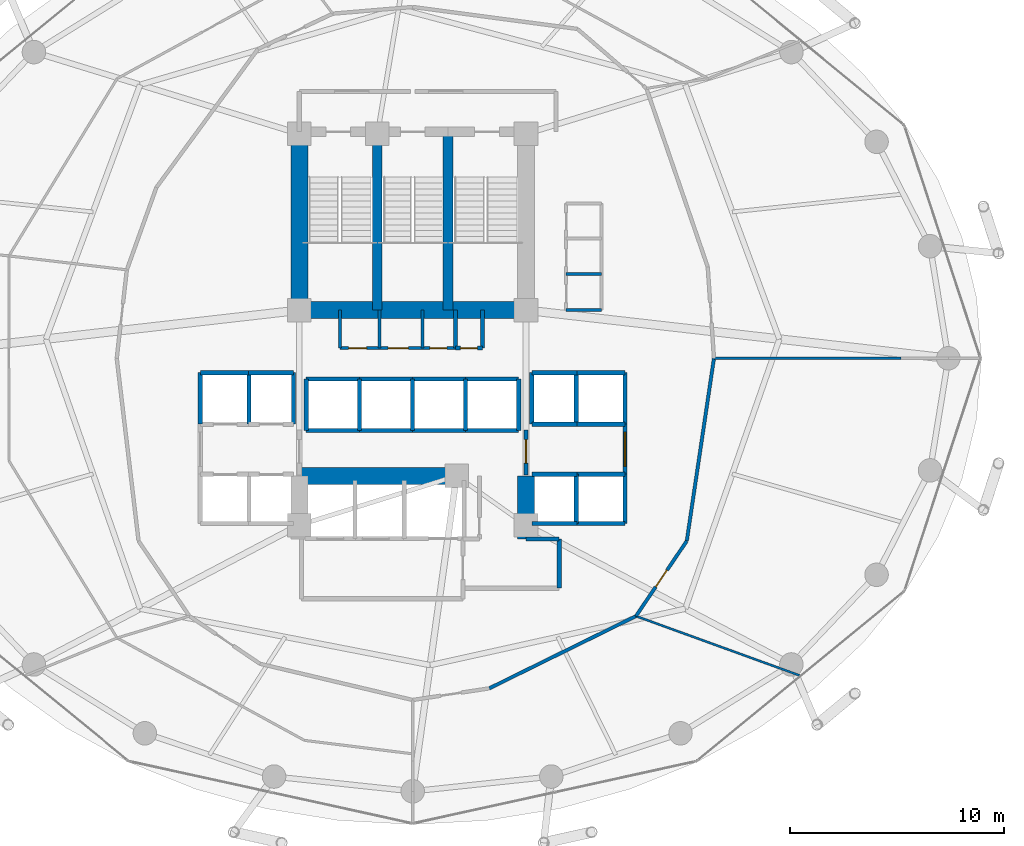
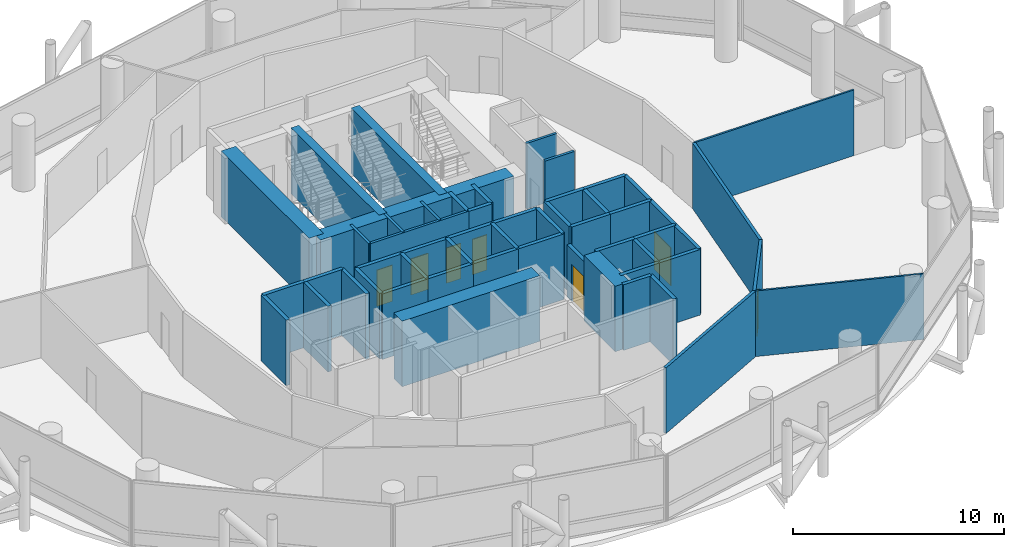
# One storey, part 22 of 25: 55 walls, 7 doors, 7 openings.
"""IFC4 building model written with IfcOpenShell, lengths in metres."""

from ifc_helpers import new_model, si_unit, direction, frame, frame_2d, origin, place, context, subcontext, project, spatial, rectangle, extrude, material, layer, layer_set, type_object, element, fill, save


model = new_model("IFC4")

# Units and contexts
model_context = context("Model", 3, precision=1e-05, world=origin(), true_north=direction((0.0, 1.0)))
body_context = subcontext(model_context, "Body", "Model", "MODEL_VIEW")
ifc_project = project(units=[si_unit("LENGTHUNIT", "METRE"), si_unit("AREAUNIT", "SQUARE_METRE"), si_unit("VOLUMEUNIT", "CUBIC_METRE"), si_unit("PLANEANGLEUNIT", "RADIAN"), si_unit("MASSUNIT", "GRAM", prefix="KILO")], contexts=[model_context])

# Site, building, storey
site_placement = place(None, origin())
site = spatial("IfcSite", under=ifc_project, at=site_placement, CompositionType="ELEMENT")
building_placement = place(site_placement, origin())
building = spatial("IfcBuilding", under=site, at=building_placement, Name="Nuhasar Tower", CompositionType="ELEMENT")
storey_placement = place(building_placement, frame((0.0, 0.0, 57.449951171875)))
storey = spatial("IfcBuildingStorey", under=building, at=storey_placement, Name="L13", CompositionType="ELEMENT", Elevation=57.449951171875)

# Walls
ifc_material_1 = material(Name="Concrete C50/60", Category="concrete")
ifc_layer_1 = layer(ifc_material_1, 0.449951171875)
ifc_layer_set_1 = layer_set([ifc_layer_1], Name="Concrete C50/60")
wall_type_1 = type_object("IfcWallType", Name="WL-CORE-450", PredefinedType="SHEAR", material=ifc_layer_set_1)
for number, where, z_axis, x_axis, name in (
    (1, (37.35009765625, 29.050048828125, 0.0), (0.0, 0.0, 1.0), (0.0, 1.0, 0.0), "L13 Stairwell Shear Wall ST01-E"),
    (2, (40.64990234375, 29.050048828125, 0.0), (0.0, 0.0, 1.0), (0.0, 1.0, 0.0), "L13 Stairwell Shear Wall ST03-E"),
):
    element("IfcWall", number, at=place(storey_placement, frame(where, z_axis=z_axis, x_axis=x_axis)), inside=storey, type_object=wall_type_1, Name=name, PredefinedType="SHEAR", context=body_context, shape_type="SweptSolid", body=[
        extrude(rectangle(XDim=8.349853515625, YDim=0.449951171875, at=frame_2d((4.1748046875, 0.0))), origin(), (0.0, 0.0, 1.0), 3.800048828125),
    ])
ifc_material_2 = material(Name="Concrete C80/95", Category="concrete")
ifc_layer_2 = layer(ifc_material_2, 0.800048828125)
ifc_layer_set_2 = layer_set([ifc_layer_2], Name="Concrete C80/95")
wall_type_2 = type_object("IfcWallType", Name="WL-CORE-800", PredefinedType="SHEAR", material=ifc_layer_set_2)
wall_1_placement = place(storey_placement, frame((33.699951171875, 29.050048828125, 0.0), z_axis=(0.0, 0.0, 1.0), x_axis=(0.0, 1.0, 0.0)))
element("IfcWall", 3, at=wall_1_placement, inside=storey, type_object=wall_type_2, Name="L13 Core Shear Wall CW-NW CW-800", PredefinedType="SHEAR", context=body_context, shape_type="SweptSolid", body=[
    extrude(rectangle(XDim=8.349853515625, YDim=0.800048828125, at=frame_2d((4.1748046875, 0.0))), origin(), (0.0, 0.0, 1.0), 3.800048828125),
])
wall_2_placement = place(storey_placement, frame((44.300048828125, 18.35009765625, 0.0), z_axis=(0.0, 0.0, 1.0), x_axis=(0.0, 1.0, 0.0)))
element("IfcWall", 4, at=wall_2_placement, inside=storey, type_object=wall_type_2, Name="L13 Core Shear Wall CW-SE CW-800", PredefinedType="SHEAR", context=body_context, shape_type="SweptSolid", body=[
    extrude(rectangle(XDim=2.949951171875, YDim=0.800048828125, at=frame_2d((1.47509765625, 0.0))), origin(), (0.0, 0.0, 1.0), 3.800048828125),
])
wall_3_placement = place(storey_placement, frame((33.699951171875, 29.050048828125, 0.0), z_axis=(0.0, 0.0, 1.0), x_axis=(1.0, 0.0, 0.0)))
element("IfcWall", 5, at=wall_3_placement, inside=storey, type_object=wall_type_2, Name="L13 Core Shear Wall CW-N1 CW-800", PredefinedType="SHEAR", context=body_context, shape_type="SweptSolid", body=[
    extrude(rectangle(XDim=10.60009765625, YDim=0.800048828125, at=frame_2d((5.300048828125, 0.0))), origin(), (0.0, 0.0, 1.0), 3.800048828125),
])
wall_4_placement = place(storey_placement, frame((33.699951171875, 21.300048828125, 0.0), z_axis=(0.0, 0.0, 1.0), x_axis=(1.0, 0.0, 0.0)))
element("IfcWall", 6, at=wall_4_placement, inside=storey, type_object=wall_type_2, Name="L13 Core Shear Wall CW-S1 CW-800", PredefinedType="SHEAR", context=body_context, shape_type="SweptSolid", body=[
    extrude(rectangle(XDim=7.550048828125, YDim=0.800048828125, at=frame_2d((3.77490234375, 0.0))), origin(), (0.0, 0.0, 1.0), 3.800048828125),
])
ifc_material_3 = material(Name="Gypsum Board", Category="gypsum")
ifc_layer_3 = layer(ifc_material_3, 0.159912109375)
ifc_layer_set_3 = layer_set([ifc_layer_3], Name="Gypsum Board")
wall_type_3 = type_object("IfcWallType", Name="WL-CORR-160", PredefinedType="PARTITIONING", material=ifc_layer_set_3)
wall_5_placement = place(storey_placement, frame((42.58203125, 11.364990234375, 0.0), z_axis=(0.0, 0.0, 1.0), x_axis=(0.897055406153, 0.441918090025, 0.0)))
element("IfcWall", 7, at=wall_5_placement, inside=storey, type_object=wall_type_3, Name="L13 Interior Partition CORR-38", PredefinedType="PARTITIONING", context=body_context, shape_type="SweptSolid", body=[
    extrude(rectangle(XDim=7.64599609375, YDim=0.159912109375, at=frame_2d((3.822998046875, 0.0))), origin(), (0.0, 0.0, 1.0), 3.800048828125),
])

# Wall, opening, door
wall_6_placement = place(storey_placement, frame((51.818115234375, 18.2548828125, 0.0), z_axis=(0.0, 0.0, 1.0), x_axis=(-0.560652063277, -0.828051486288, 0.0)))
wall_6 = element("IfcWall", 8, at=wall_6_placement, inside=storey, type_object=wall_type_3, Name="L13 Interior Partition CORR-42", PredefinedType="PARTITIONING", context=body_context, shape_type="SweptSolid", body=[
    extrude(rectangle(XDim=4.239990234375, YDim=0.159912109375, at=frame_2d((2.1201171875, 0.0))), origin(), (0.0, 0.0, 1.0), 3.800048828125),
])
opening_1_placement = place(wall_6_placement, frame((1.64501953125, 0.0, 0.0)))
opening_1 = element("IfcOpeningElement", 9, at=opening_1_placement, cuts=wall_6, Name="Opening DO-01", PredefinedType="OPENING", context=body_context, shape_type="SweptSolid", body=[
    extrude(rectangle(XDim=0.949951171875, YDim=2.14990234375, at=frame_2d((0.47509765625, 1.074951171875))), frame((0.0, 0.08984375, 0.0), z_axis=(0.0, -1.0, 0.0), x_axis=(1.0, 0.0, 0.0)), (0.0, 0.0, 1.0), 0.179931640625),
])
ifc_material_4 = material(Name="Timber Oak", Category="wood")
door_type_1 = type_object("IfcDoorType", Name="DR-OFFICE-FD30-950", OperationType="NOTDEFINED", PredefinedType="DOOR", material=ifc_material_4)
door_1_placement = place(opening_1_placement, origin())
door_1 = element("IfcDoor", 10, at=door_1_placement, inside=storey, type_object=door_type_1, Name="L13 Analytics Co-Working Hall Entry Door", OperationType="SINGLE_SWING_RIGHT", OverallHeight=2.14990234375, OverallWidth=0.949951171875, PredefinedType="DOOR", context=body_context, shape_type="SweptSolid", body=[
    extrude(rectangle(XDim=0.949951171875, YDim=2.14990234375, at=frame_2d((0.47509765625, 1.074951171875))), frame((0.0, 0.02490234375, 0.0), z_axis=(0.0, -1.0, 0.0), x_axis=(1.0, 0.0, 0.0)), (0.0, 0.0, 1.0), 0.050048828125),
])
fill(opening_1, door_1)

# Wall
wall_7_placement = place(storey_placement, frame((51.818115234375, 18.2548828125, 0.0), z_axis=(0.0, 0.0, 1.0), x_axis=(0.147230717418, 0.989102176647, 0.0)))
element("IfcWall", 11, at=wall_7_placement, inside=storey, type_object=wall_type_3, Name="L13 Interior Partition CORR-44", PredefinedType="PARTITIONING", context=body_context, shape_type="SweptSolid", body=[
    extrude(rectangle(XDim=8.639404296875, YDim=0.159912109375, at=frame_2d((4.31982421875, 0.0))), origin(), (0.0, 0.0, 1.0), 3.800048828125),
])

# Wall, opening, door
ifc_material_5 = material(Name="Concrete C45/55", Category="concrete")
ifc_layer_4 = layer(ifc_material_5, 0.199951171875)
ifc_layer_set_4 = layer_set([ifc_layer_4], Name="Concrete C45/55")
wall_type_4 = type_object("IfcWallType", Name="WL-LOBBY-200", PredefinedType="SOLIDWALL", material=ifc_layer_set_4)
wall_8_placement = place(storey_placement, frame((48.929931640625, 21.3798828125, 0.0), z_axis=(0.0, 0.0, 1.0), x_axis=(0.0, 1.0, 0.0)))
wall_8 = element("IfcWall", 12, at=wall_8_placement, inside=storey, type_object=wall_type_4, Name="L13 Interior Partition LLBM-E", PredefinedType="SOLIDWALL", context=body_context, shape_type="SweptSolid", body=[
    extrude(rectangle(XDim=2.340087890625, YDim=0.199951171875, at=frame_2d((1.169921875, 0.0))), origin(), (0.0, 0.0, 1.0), 3.800048828125),
])
opening_2_placement = place(wall_8_placement, frame((0.3701171875, 0.0, 0.0)))
opening_2 = element("IfcOpeningElement", 13, at=opening_2_placement, cuts=wall_8, Name="Opening DC-01", PredefinedType="OPENING", context=body_context, shape_type="SweptSolid", body=[
    extrude(rectangle(XDim=1.60009765625, YDim=2.199951171875, at=frame_2d((0.800048828125, 1.10009765625))), frame((0.0, 0.10986328125, 0.0), z_axis=(0.0, -1.0, 0.0), x_axis=(1.0, 0.0, 0.0)), (0.0, 0.0, 1.0), 0.219970703125),
])
ifc_material_6 = material(Name="Steel S355", Category="steel")
door_type_2 = type_object("IfcDoorType", Name="DR-CORR-FD60-1600", OperationType="DOUBLE_DOOR_SINGLE_SWING", PredefinedType="DOOR", material=ifc_material_6)
door_2_placement = place(opening_2_placement, origin())
door_2 = element("IfcDoor", 14, at=door_2_placement, inside=storey, type_object=door_type_2, Name="L13 Mid-Rise Lift Lobby East Entry", OperationType="DOUBLE_DOOR_SINGLE_SWING", OverallHeight=2.199951171875, OverallWidth=1.60009765625, PredefinedType="DOOR", context=body_context, shape_type="SweptSolid", body=[
    extrude(rectangle(XDim=1.60009765625, YDim=2.199951171875, at=frame_2d((0.800048828125, 1.10009765625))), frame((0.0, 0.02490234375, 0.0), z_axis=(0.0, -1.0, 0.0), x_axis=(1.0, 0.0, 0.0)), (0.0, 0.0, 1.0), 0.050048828125),
])
fill(opening_2, door_2)

wall_9_placement = place(storey_placement, frame((44.300048828125, 21.35009765625, 0.0), z_axis=(0.0, 0.0, 1.0), x_axis=(0.0, 1.0, 0.0)))
wall_9 = element("IfcWall", 15, at=wall_9_placement, inside=storey, type_object=wall_type_4, Name="L13 Interior Partition LLBH-E", PredefinedType="SOLIDWALL", context=body_context, shape_type="SweptSolid", body=[
    extrude(rectangle(XDim=2.099853515625, YDim=0.199951171875, at=frame_2d((1.0498046875, 0.0))), origin(), (0.0, 0.0, 1.0), 3.02001953125),
])
opening_3_placement = place(wall_9_placement, frame((0.550048828125, 0.0, 0.0)))
opening_3 = element("IfcOpeningElement", 16, at=opening_3_placement, cuts=wall_9, Name="Opening DS-02", PredefinedType="OPENING", context=body_context, shape_type="SweptSolid", body=[
    extrude(rectangle(XDim=1.10009765625, YDim=2.14990234375, at=frame_2d((0.550048828125, 1.074951171875))), frame((0.0, 0.10986328125, 0.0), z_axis=(0.0, -1.0, 0.0), x_axis=(1.0, 0.0, 0.0)), (0.0, 0.0, 1.0), 0.219970703125),
])
door_type_3 = type_object("IfcDoorType", Name="DR-FFL-FD120-1100", OperationType="NOTDEFINED", PredefinedType="DOOR", material=ifc_material_6)
door_3_placement = place(opening_3_placement, origin())
door_3 = element("IfcDoor", 17, at=door_3_placement, inside=storey, type_object=door_type_3, Name="L13 High-Rise Lobby East Door", OperationType="SINGLE_SWING_RIGHT", OverallHeight=2.14990234375, OverallWidth=1.10009765625, PredefinedType="DOOR", context=body_context, shape_type="SweptSolid", body=[
    extrude(rectangle(XDim=1.10009765625, YDim=2.14990234375, at=frame_2d((0.550048828125, 1.074951171875))), frame((0.0, 0.02490234375, 0.0), z_axis=(0.0, -1.0, 0.0), x_axis=(1.0, 0.0, 0.0)), (0.0, 0.0, 1.0), 0.050048828125),
])
fill(opening_3, door_3)

# Walls
wall_10_placement = place(storey_placement, frame((45.85009765625, 16.050048828125, 0.0), z_axis=(0.0, 0.0, 1.0), x_axis=(0.0, 1.0, 0.0)))
element("IfcWall", 18, at=wall_10_placement, inside=storey, type_object=wall_type_4, Name="L13 Interior Partition SVLV-E", PredefinedType="SOLIDWALL", context=body_context, shape_type="SweptSolid", body=[
    extrude(rectangle(XDim=2.300048828125, YDim=0.199951171875, at=frame_2d((1.14990234375, 0.0))), origin(), (0.0, 0.0, 1.0), 3.800048828125),
])
wall_11_placement = place(storey_placement, frame((44.300048828125, 18.35009765625, 0.0), z_axis=(0.0, 0.0, 1.0), x_axis=(1.0, 0.0, 0.0)))
element("IfcWall", 19, at=wall_11_placement, inside=storey, type_object=wall_type_4, Name="L13 Interior Partition SVLV-N", PredefinedType="SOLIDWALL", context=body_context, shape_type="SweptSolid", body=[
    extrude(rectangle(XDim=1.550048828125, YDim=0.199951171875, at=frame_2d((0.77490234375, 0.0))), origin(), (0.0, 0.0, 1.0), 3.800048828125),
])
ifc_material_7 = material(Name="Aluminium 6063-T6", Category="aluminium")
ifc_layer_5 = layer(ifc_material_7, 0.10009765625)
ifc_layer_set_5 = layer_set([ifc_layer_5], Name="Aluminium 6063-T6")
wall_type_5 = type_object("IfcWallType", Name="WL-MOVABLE-100", PredefinedType="MOVABLE", material=ifc_layer_set_5)
wall_12_placement = place(storey_placement, frame((53.090087890625, 26.800048828125, 0.0), z_axis=(0.0, 0.0, 1.0), x_axis=(1.0, 0.0, 0.0)))
element("IfcWall", 20, at=wall_12_placement, inside=storey, type_object=wall_type_5, Name="L13 Interior Partition ORAD-00", PredefinedType="MOVABLE", context=body_context, shape_type="SweptSolid", body=[
    extrude(rectangle(XDim=8.75, YDim=0.10009765625, at=frame_2d((4.375, 0.0))), origin(), (0.0, 0.0, 1.0), 3.800048828125),
])
wall_13_placement = place(storey_placement, frame((49.44091796875, 14.743896484375, 0.0), z_axis=(0.0, 0.0, 1.0), x_axis=(0.940120376518, -0.340842599533, 0.0)))
element("IfcWall", 21, at=wall_13_placement, inside=storey, type_object=wall_type_5, Name="L13 Interior Partition ORAD-42", PredefinedType="MOVABLE", context=body_context, shape_type="SweptSolid", body=[
    extrude(rectangle(XDim=8.1650390625, YDim=0.10009765625, at=frame_2d((4.08251953125, 0.0))), origin(), (0.0, 0.0, 1.0), 3.800048828125),
])
ifc_layer_6 = layer(ifc_material_5, 0.199951171875)
ifc_layer_set_6 = layer_set([ifc_layer_6], Name="Concrete C45/55")
wall_type_6 = type_object("IfcWallType", Name="WL-SHAFT-200", PredefinedType="SOLIDWALL", material=ifc_layer_set_6)
for number, where, z_axis, x_axis, name in (
    (22, (41.0, 27.280029296875, 0.0), (0.0, 0.0, 1.0), (0.0, 1.0, 0.0), "L13 Interior Partition RSRN-W"),
    (23, (42.260009765625, 27.280029296875, 0.0), (0.0, 0.0, 1.0), (0.0, 1.0, 0.0), "L13 Interior Partition RSRN-E"),
):
    element("IfcWall", number, at=place(storey_placement, frame(where, z_axis=z_axis, x_axis=x_axis)), inside=storey, type_object=wall_type_6, Name=name, PredefinedType="SOLIDWALL", context=body_context, shape_type="SweptSolid", body=[
        extrude(rectangle(XDim=1.77001953125, YDim=0.199951171875, at=frame_2d((0.885009765625, 0.0))), origin(), (0.0, 0.0, 1.0), 3.800048828125),
    ])

# Wall, opening, door
wall_14_placement = place(storey_placement, frame((41.0, 27.280029296875, 0.0), z_axis=(0.0, 0.0, 1.0), x_axis=(1.0, 0.0, 0.0)))
wall_14 = element("IfcWall", 24, at=wall_14_placement, inside=storey, type_object=wall_type_6, Name="L13 Interior Partition RSRN-S", PredefinedType="SOLIDWALL", context=body_context, shape_type="SweptSolid", body=[
    extrude(rectangle(XDim=1.260009765625, YDim=0.199951171875, at=frame_2d((0.6298828125, 0.0))), origin(), (0.0, 0.0, 1.0), 3.800048828125),
])
opening_4_placement = place(wall_14_placement, frame((0.22998046875, 0.0, 0.0)))
opening_4 = element("IfcOpeningElement", 25, at=opening_4_placement, cuts=wall_14, Name="Opening DM-01", PredefinedType="OPENING", context=body_context, shape_type="SweptSolid", body=[
    extrude(rectangle(XDim=0.800048828125, YDim=2.050048828125, at=frame_2d((0.39990234375, 1.02490234375))), frame((0.0, 0.10986328125, 0.0), z_axis=(0.0, -1.0, 0.0), x_axis=(1.0, 0.0, 0.0)), (0.0, 0.0, 1.0), 0.219970703125),
])
door_type_4 = type_object("IfcDoorType", Name="DR-RISER-FD60-800", OperationType="NOTDEFINED", PredefinedType="DOOR", material=ifc_material_6)
door_4_placement = place(opening_4_placement, origin())
door_4 = element("IfcDoor", 26, at=door_4_placement, inside=storey, type_object=door_type_4, Name="L13 North Smoke Riser Door", OperationType="SINGLE_SWING_RIGHT", OverallHeight=2.050048828125, OverallWidth=0.800048828125, PredefinedType="DOOR", context=body_context, shape_type="SweptSolid", body=[
    extrude(rectangle(XDim=0.800048828125, YDim=2.050048828125, at=frame_2d((0.39990234375, 1.02490234375))), frame((0.0, 0.02490234375, 0.0), z_axis=(0.0, -1.0, 0.0), x_axis=(1.0, 0.0, 0.0)), (0.0, 0.0, 1.0), 0.050048828125),
])
fill(opening_4, door_4)

# Walls
wall_15_placement = place(storey_placement, frame((29.070068359375, 26.1298828125, 0.0), z_axis=(0.0, 0.0, 1.0), x_axis=(1.0, 0.0, 0.0)))
element("IfcWall", 27, at=wall_15_placement, inside=storey, type_object=wall_type_6, Name="L13 Interior Partition SHF-PL-L01-N", PredefinedType="SOLIDWALL", context=body_context, shape_type="SweptSolid", body=[
    extrude(rectangle(XDim=2.309814453125, YDim=0.199951171875, at=frame_2d((1.15478515625, 0.0))), origin(), (0.0, 0.0, 1.0), 3.800048828125),
])
for number, where, z_axis, x_axis, name in (
    (28, (29.070068359375, 23.719970703125, 0.0), (0.0, 0.0, 1.0), (0.0, 1.0, 0.0), "L13 Interior Partition SHF-PL-L01-W"),
    (29, (31.35009765625, 23.719970703125, 0.0), (0.0, 0.0, 1.0), (0.0, 1.0, 0.0), "L13 Interior Partition SHF-PL-L01-E"),
):
    element("IfcWall", number, at=place(storey_placement, frame(where, z_axis=z_axis, x_axis=x_axis)), inside=storey, type_object=wall_type_6, Name=name, PredefinedType="SOLIDWALL", context=body_context, shape_type="SweptSolid", body=[
        extrude(rectangle(XDim=2.409912109375, YDim=0.199951171875, at=frame_2d((1.205078125, 0.0))), origin(), (0.0, 0.0, 1.0), 3.800048828125),
    ])
wall_16_placement = place(storey_placement, frame((31.320068359375, 26.1298828125, 0.0), z_axis=(0.0, 0.0, 1.0), x_axis=(1.0, 0.0, 0.0)))
element("IfcWall", 30, at=wall_16_placement, inside=storey, type_object=wall_type_6, Name="L13 Interior Partition SHF-PL-L02-N", PredefinedType="SOLIDWALL", context=body_context, shape_type="SweptSolid", body=[
    extrude(rectangle(XDim=2.10986328125, YDim=0.199951171875, at=frame_2d((1.054931640625, 0.0))), origin(), (0.0, 0.0, 1.0), 3.800048828125),
])
wall_17_placement = place(storey_placement, frame((33.429931640625, 23.719970703125, 0.0), z_axis=(0.0, 0.0, 1.0), x_axis=(0.0, 1.0, 0.0)))
element("IfcWall", 31, at=wall_17_placement, inside=storey, type_object=wall_type_6, Name="L13 Interior Partition SHF-PL-L02-E", PredefinedType="SOLIDWALL", context=body_context, shape_type="SweptSolid", body=[
    extrude(rectangle(XDim=2.409912109375, YDim=0.199951171875, at=frame_2d((1.205078125, 0.0))), origin(), (0.0, 0.0, 1.0), 3.800048828125),
])
for number, where, z_axis, x_axis, name in (
    (32, (44.570068359375, 23.719970703125, 0.0), (0.0, 0.0, 1.0), (1.0, 0.0, 0.0), "L13 Interior Partition SHF-PL-M01-S"),
    (33, (44.570068359375, 26.1298828125, 0.0), (0.0, 0.0, 1.0), (1.0, 0.0, 0.0), "L13 Interior Partition SHF-PL-M01-N"),
):
    element("IfcWall", number, at=place(storey_placement, frame(where, z_axis=z_axis, x_axis=x_axis)), inside=storey, type_object=wall_type_6, Name=name, PredefinedType="SOLIDWALL", context=body_context, shape_type="SweptSolid", body=[
        extrude(rectangle(XDim=2.10986328125, YDim=0.199951171875, at=frame_2d((1.054931640625, 0.0))), origin(), (0.0, 0.0, 1.0), 3.800048828125),
    ])
for number, where, z_axis, x_axis, name in (
    (34, (44.570068359375, 23.719970703125, 0.0), (0.0, 0.0, 1.0), (0.0, 1.0, 0.0), "L13 Interior Partition SHF-PL-M01-W"),
    (35, (46.64990234375, 23.719970703125, 0.0), (0.0, 0.0, 1.0), (0.0, 1.0, 0.0), "L13 Interior Partition SHF-PL-M01-E"),
):
    element("IfcWall", number, at=place(storey_placement, frame(where, z_axis=z_axis, x_axis=x_axis)), inside=storey, type_object=wall_type_6, Name=name, PredefinedType="SOLIDWALL", context=body_context, shape_type="SweptSolid", body=[
        extrude(rectangle(XDim=2.409912109375, YDim=0.199951171875, at=frame_2d((1.205078125, 0.0))), origin(), (0.0, 0.0, 1.0), 3.800048828125),
    ])
for number, where, z_axis, x_axis, name in (
    (36, (46.6201171875, 23.719970703125, 0.0), (0.0, 0.0, 1.0), (1.0, 0.0, 0.0), "L13 Interior Partition SHF-PL-M02-S"),
    (37, (46.6201171875, 26.1298828125, 0.0), (0.0, 0.0, 1.0), (1.0, 0.0, 0.0), "L13 Interior Partition SHF-PL-M02-N"),
):
    element("IfcWall", number, at=place(storey_placement, frame(where, z_axis=z_axis, x_axis=x_axis)), inside=storey, type_object=wall_type_6, Name=name, PredefinedType="SOLIDWALL", context=body_context, shape_type="SweptSolid", body=[
        extrude(rectangle(XDim=2.309814453125, YDim=0.199951171875, at=frame_2d((1.15478515625, 0.0))), origin(), (0.0, 0.0, 1.0), 3.800048828125),
    ])
wall_18_placement = place(storey_placement, frame((48.929931640625, 23.719970703125, 0.0), z_axis=(0.0, 0.0, 1.0), x_axis=(0.0, 1.0, 0.0)))
element("IfcWall", 38, at=wall_18_placement, inside=storey, type_object=wall_type_6, Name="L13 Interior Partition SHF-PL-M02-E", PredefinedType="SOLIDWALL", context=body_context, shape_type="SweptSolid", body=[
    extrude(rectangle(XDim=2.409912109375, YDim=0.199951171875, at=frame_2d((1.205078125, 0.0))), origin(), (0.0, 0.0, 1.0), 3.800048828125),
])
for number, where, z_axis, x_axis, name in (
    (39, (44.570068359375, 19.070068359375, 0.0), (0.0, 0.0, 1.0), (1.0, 0.0, 0.0), "L13 Interior Partition SHF-PL-M03-S"),
    (40, (44.570068359375, 21.3798828125, 0.0), (0.0, 0.0, 1.0), (1.0, 0.0, 0.0), "L13 Interior Partition SHF-PL-M03-N"),
):
    element("IfcWall", number, at=place(storey_placement, frame(where, z_axis=z_axis, x_axis=x_axis)), inside=storey, type_object=wall_type_6, Name=name, PredefinedType="SOLIDWALL", context=body_context, shape_type="SweptSolid", body=[
        extrude(rectangle(XDim=2.10986328125, YDim=0.199951171875, at=frame_2d((1.054931640625, 0.0))), origin(), (0.0, 0.0, 1.0), 3.800048828125),
    ])
for number, where, z_axis, x_axis, name in (
    (41, (46.64990234375, 19.070068359375, 0.0), (0.0, 0.0, 1.0), (0.0, 1.0, 0.0), "L13 Interior Partition SHF-PL-M03-E"),
    (42, (46.6201171875, 19.070068359375, 0.0), (0.0, 0.0, 1.0), (1.0, 0.0, 0.0), "L13 Interior Partition SHF-PL-M04-S"),
    (43, (46.6201171875, 21.3798828125, 0.0), (0.0, 0.0, 1.0), (1.0, 0.0, 0.0), "L13 Interior Partition SHF-PL-M04-N"),
    (44, (48.929931640625, 19.070068359375, 0.0), (0.0, 0.0, 1.0), (0.0, 1.0, 0.0), "L13 Interior Partition SHF-PL-M04-E"),
):
    element("IfcWall", number, at=place(storey_placement, frame(where, z_axis=z_axis, x_axis=x_axis)), inside=storey, type_object=wall_type_6, Name=name, PredefinedType="SOLIDWALL", context=body_context, shape_type="SweptSolid", body=[
        extrude(rectangle(XDim=2.309814453125, YDim=0.199951171875, at=frame_2d((1.15478515625, 0.0))), origin(), (0.0, 0.0, 1.0), 3.800048828125),
    ])
for number, where, z_axis, x_axis, name in (
    (45, (34.02001953125, 23.419921875, 0.0), (0.0, 0.0, 1.0), (1.0, 0.0, 0.0), "L13 Interior Partition SHF-PL-H01-S"),
    (46, (34.02001953125, 25.830078125, 0.0), (0.0, 0.0, 1.0), (1.0, 0.0, 0.0), "L13 Interior Partition SHF-PL-H01-N"),
):
    element("IfcWall", number, at=place(storey_placement, frame(where, z_axis=z_axis, x_axis=x_axis)), inside=storey, type_object=wall_type_6, Name=name, PredefinedType="SOLIDWALL", context=body_context, shape_type="SweptSolid", body=[
        extrude(rectangle(XDim=2.5, YDim=0.199951171875, at=frame_2d((1.25, 0.0))), origin(), (0.0, 0.0, 1.0), 3.800048828125),
    ])
for number, where, z_axis, x_axis, name in (
    (47, (34.02001953125, 23.419921875, 0.0), (0.0, 0.0, 1.0), (0.0, 1.0, 0.0), "L13 Interior Partition SHF-PL-H01-W"),
    (48, (36.510009765625, 23.419921875, 0.0), (0.0, 0.0, 1.0), (0.0, 1.0, 0.0), "L13 Interior Partition SHF-PL-H01-E"),
):
    element("IfcWall", number, at=place(storey_placement, frame(where, z_axis=z_axis, x_axis=x_axis)), inside=storey, type_object=wall_type_6, Name=name, PredefinedType="SOLIDWALL", context=body_context, shape_type="SweptSolid", body=[
        extrude(rectangle(XDim=2.41015625, YDim=0.199951171875, at=frame_2d((1.205078125, 0.0))), origin(), (0.0, 0.0, 1.0), 3.800048828125),
    ])
for number, where, z_axis, x_axis, name in (
    (49, (36.5, 23.419921875, 0.0), (0.0, 0.0, 1.0), (1.0, 0.0, 0.0), "L13 Interior Partition SHF-PL-H02-S"),
    (50, (36.5, 25.830078125, 0.0), (0.0, 0.0, 1.0), (1.0, 0.0, 0.0), "L13 Interior Partition SHF-PL-H02-N"),
):
    element("IfcWall", number, at=place(storey_placement, frame(where, z_axis=z_axis, x_axis=x_axis)), inside=storey, type_object=wall_type_6, Name=name, PredefinedType="SOLIDWALL", context=body_context, shape_type="SweptSolid", body=[
        extrude(rectangle(XDim=2.5, YDim=0.199951171875, at=frame_2d((1.25, 0.0))), origin(), (0.0, 0.0, 1.0), 3.800048828125),
    ])
wall_19_placement = place(storey_placement, frame((38.989990234375, 23.419921875, 0.0), z_axis=(0.0, 0.0, 1.0), x_axis=(0.0, 1.0, 0.0)))
element("IfcWall", 51, at=wall_19_placement, inside=storey, type_object=wall_type_6, Name="L13 Interior Partition SHF-PL-H02-E", PredefinedType="SOLIDWALL", context=body_context, shape_type="SweptSolid", body=[
    extrude(rectangle(XDim=2.41015625, YDim=0.199951171875, at=frame_2d((1.205078125, 0.0))), origin(), (0.0, 0.0, 1.0), 3.800048828125),
])
for number, where, z_axis, x_axis, name in (
    (52, (38.97998046875, 23.419921875, 0.0), (0.0, 0.0, 1.0), (1.0, 0.0, 0.0), "L13 Interior Partition SHF-PL-H03-S"),
    (53, (38.97998046875, 25.830078125, 0.0), (0.0, 0.0, 1.0), (1.0, 0.0, 0.0), "L13 Interior Partition SHF-PL-H03-N"),
):
    element("IfcWall", number, at=place(storey_placement, frame(where, z_axis=z_axis, x_axis=x_axis)), inside=storey, type_object=wall_type_6, Name=name, PredefinedType="SOLIDWALL", context=body_context, shape_type="SweptSolid", body=[
        extrude(rectangle(XDim=2.5, YDim=0.199951171875, at=frame_2d((1.25, 0.0))), origin(), (0.0, 0.0, 1.0), 3.800048828125),
    ])
wall_20_placement = place(storey_placement, frame((41.469970703125, 23.419921875, 0.0), z_axis=(0.0, 0.0, 1.0), x_axis=(0.0, 1.0, 0.0)))
element("IfcWall", 54, at=wall_20_placement, inside=storey, type_object=wall_type_6, Name="L13 Interior Partition SHF-PL-H03-E", PredefinedType="SOLIDWALL", context=body_context, shape_type="SweptSolid", body=[
    extrude(rectangle(XDim=2.41015625, YDim=0.199951171875, at=frame_2d((1.205078125, 0.0))), origin(), (0.0, 0.0, 1.0), 3.800048828125),
])
for number, where, z_axis, x_axis, name in (
    (55, (41.4599609375, 23.419921875, 0.0), (0.0, 0.0, 1.0), (1.0, 0.0, 0.0), "L13 Interior Partition SHF-PL-H04-S"),
    (56, (41.4599609375, 25.830078125, 0.0), (0.0, 0.0, 1.0), (1.0, 0.0, 0.0), "L13 Interior Partition SHF-PL-H04-N"),
):
    element("IfcWall", number, at=place(storey_placement, frame(where, z_axis=z_axis, x_axis=x_axis)), inside=storey, type_object=wall_type_6, Name=name, PredefinedType="SOLIDWALL", context=body_context, shape_type="SweptSolid", body=[
        extrude(rectangle(XDim=2.5, YDim=0.199951171875, at=frame_2d((1.25, 0.0))), origin(), (0.0, 0.0, 1.0), 3.800048828125),
    ])
wall_21_placement = place(storey_placement, frame((43.9599609375, 23.419921875, 0.0), z_axis=(0.0, 0.0, 1.0), x_axis=(0.0, 1.0, 0.0)))
element("IfcWall", 57, at=wall_21_placement, inside=storey, type_object=wall_type_6, Name="L13 Interior Partition SHF-PL-H04-E", PredefinedType="SOLIDWALL", context=body_context, shape_type="SweptSolid", body=[
    extrude(rectangle(XDim=2.41015625, YDim=0.199951171875, at=frame_2d((1.205078125, 0.0))), origin(), (0.0, 0.0, 1.0), 3.800048828125),
])
ifc_material_8 = material(Name="Concrete C40/50 precast", Category="concrete")
ifc_layer_7 = layer(ifc_material_8, 0.139892578125)
ifc_layer_set_7 = layer_set([ifc_layer_7], Name="Concrete C40/50 precast")
wall_type_7 = type_object("IfcWallType", Name="WL-WET-140", PredefinedType="PARTITIONING", material=ifc_layer_set_7)
wall_22_placement = place(storey_placement, frame((35.60009765625, 27.280029296875, 0.0), z_axis=(0.0, 0.0, 1.0), x_axis=(0.0, 1.0, 0.0)))
element("IfcWall", 58, at=wall_22_placement, inside=storey, type_object=wall_type_7, Name="L13 Interior Partition CSVC-W", PredefinedType="PARTITIONING", context=body_context, shape_type="SweptSolid", body=[
    extrude(rectangle(XDim=1.77001953125, YDim=0.139892578125, at=frame_2d((0.885009765625, 0.0))), origin(), (0.0, 0.0, 1.0), 3.800048828125),
])

# Wall, openings, doors
wall_23_placement = place(storey_placement, frame((35.60009765625, 27.280029296875, 0.0), z_axis=(0.0, 0.0, 1.0), x_axis=(1.0, 0.0, 0.0)))
wall_23 = element("IfcWall", 59, at=wall_23_placement, inside=storey, type_object=wall_type_7, Name="L13 Interior Partition CSVC-S", PredefinedType="PARTITIONING", context=body_context, shape_type="SweptSolid", body=[
    extrude(rectangle(XDim=5.39990234375, YDim=0.139892578125, at=frame_2d((2.699951171875, 0.0))), origin(), (0.0, 0.0, 1.0), 3.800048828125),
])
opening_5_placement = place(wall_23_placement, frame((0.39990234375, 0.0, 0.0)))
opening_5 = element("IfcOpeningElement", 60, at=opening_5_placement, cuts=wall_23, Name="Opening DB-01", PredefinedType="OPENING", context=body_context, shape_type="SweptSolid", body=[
    extrude(rectangle(XDim=0.85009765625, YDim=2.10009765625, at=frame_2d((0.425048828125, 1.050048828125))), frame((0.0, 0.080078125, 0.0), z_axis=(0.0, -1.0, 0.0), x_axis=(1.0, 0.0, 0.0)), (0.0, 0.0, 1.0), 0.159912109375),
])
opening_6_placement = place(wall_23_placement, frame((2.25, 0.0, 0.0)))
opening_6 = element("IfcOpeningElement", 61, at=opening_6_placement, cuts=wall_23, Name="Opening DA-01", PredefinedType="OPENING", context=body_context, shape_type="SweptSolid", body=[
    extrude(rectangle(XDim=0.949951171875, YDim=2.10009765625, at=frame_2d((0.47509765625, 1.050048828125))), frame((0.0, 0.080078125, 0.0), z_axis=(0.0, -1.0, 0.0), x_axis=(1.0, 0.0, 0.0)), (0.0, 0.0, 1.0), 0.159912109375),
])
opening_7_placement = place(wall_23_placement, frame((4.199951171875, 0.0, 0.0)))
opening_7 = element("IfcOpeningElement", 62, at=opening_7_placement, cuts=wall_23, Name="Opening DM-01", PredefinedType="OPENING", context=body_context, shape_type="SweptSolid", body=[
    extrude(rectangle(XDim=0.800048828125, YDim=2.050048828125, at=frame_2d((0.39990234375, 1.02490234375))), frame((0.0, 0.080078125, 0.0), z_axis=(0.0, -1.0, 0.0), x_axis=(1.0, 0.0, 0.0)), (0.0, 0.0, 1.0), 0.159912109375),
])
door_type_5 = type_object("IfcDoorType", Name="DR-ACCWC-950", OperationType="NOTDEFINED", PredefinedType="DOOR", material=ifc_material_4)
door_5_placement = place(opening_6_placement, origin())
door_5 = element("IfcDoor", 63, at=door_5_placement, inside=storey, type_object=door_type_5, Name="L13 Core Accessible WC Door", OperationType="SINGLE_SWING_RIGHT", OverallHeight=2.10009765625, OverallWidth=0.949951171875, PredefinedType="DOOR", context=body_context, shape_type="SweptSolid", body=[
    extrude(rectangle(XDim=0.949951171875, YDim=2.10009765625, at=frame_2d((0.47509765625, 1.050048828125))), frame((0.0, 0.02490234375, 0.0), z_axis=(0.0, -1.0, 0.0), x_axis=(1.0, 0.0, 0.0)), (0.0, 0.0, 1.0), 0.050048828125),
])
fill(opening_6, door_5)
door_type_6 = type_object("IfcDoorType", Name="DR-BATH-850", OperationType="NOTDEFINED", PredefinedType="DOOR", material=ifc_material_4)
door_6_placement = place(opening_5_placement, origin())
door_6 = element("IfcDoor", 64, at=door_6_placement, inside=storey, type_object=door_type_6, Name="L13 Core Male WC Door", OperationType="SINGLE_SWING_LEFT", OverallHeight=2.10009765625, OverallWidth=0.85009765625, PredefinedType="DOOR", context=body_context, shape_type="SweptSolid", body=[
    extrude(rectangle(XDim=0.85009765625, YDim=2.10009765625, at=frame_2d((0.425048828125, 1.050048828125))), frame((0.0, 0.02490234375, 0.0), z_axis=(0.0, -1.0, 0.0), x_axis=(1.0, 0.0, 0.0)), (0.0, 0.0, 1.0), 0.050048828125),
])
fill(opening_5, door_6)
door_7_placement = place(opening_7_placement, origin())
door_7 = element("IfcDoor", 65, at=door_7_placement, inside=storey, type_object=door_type_4, Name="L13 Core Janitor Door", OperationType="SINGLE_SWING_RIGHT", OverallHeight=2.050048828125, OverallWidth=0.800048828125, PredefinedType="DOOR", context=body_context, shape_type="SweptSolid", body=[
    extrude(rectangle(XDim=0.800048828125, YDim=2.050048828125, at=frame_2d((0.39990234375, 1.02490234375))), frame((0.0, 0.02490234375, 0.0), z_axis=(0.0, -1.0, 0.0), x_axis=(1.0, 0.0, 0.0)), (0.0, 0.0, 1.0), 0.050048828125),
])
fill(opening_7, door_7)

# Walls
for number, where, z_axis, x_axis, name in (
    (66, (37.449951171875, 27.280029296875, 0.0), (0.0, 0.0, 1.0), (0.0, 1.0, 0.0), "L13 Interior Partition K1-P1"),
    (67, (39.449951171875, 27.280029296875, 0.0), (0.0, 0.0, 1.0), (0.0, 1.0, 0.0), "L13 Interior Partition K1-P2"),
):
    element("IfcWall", number, at=place(storey_placement, frame(where, z_axis=z_axis, x_axis=x_axis)), inside=storey, type_object=wall_type_7, Name=name, PredefinedType="PARTITIONING", context=body_context, shape_type="SweptSolid", body=[
        extrude(rectangle(XDim=1.77001953125, YDim=0.139892578125, at=frame_2d((0.885009765625, 0.0))), origin(), (0.0, 0.0, 1.0), 3.800048828125),
    ])
for number, where, z_axis, x_axis, name in (
    (68, (46.179931640625, 29.050048828125, 0.0), (0.0, 0.0, 1.0), (1.0, 0.0, 0.0), "L13 Interior Partition K1-NE-S"),
    (69, (46.179931640625, 30.75, 0.0), (0.0, 0.0, 1.0), (1.0, 0.0, 0.0), "L13 Interior Partition K1-NE-M1"),
):
    element("IfcWall", number, at=place(storey_placement, frame(where, z_axis=z_axis, x_axis=x_axis)), inside=storey, type_object=wall_type_7, Name=name, PredefinedType="PARTITIONING", context=body_context, shape_type="SweptSolid", body=[
        extrude(rectangle(XDim=1.64013671875, YDim=0.139892578125, at=frame_2d((0.820068359375, 0.0))), origin(), (0.0, 0.0, 1.0), 3.800048828125),
    ])

save(model, "model.ifc")
